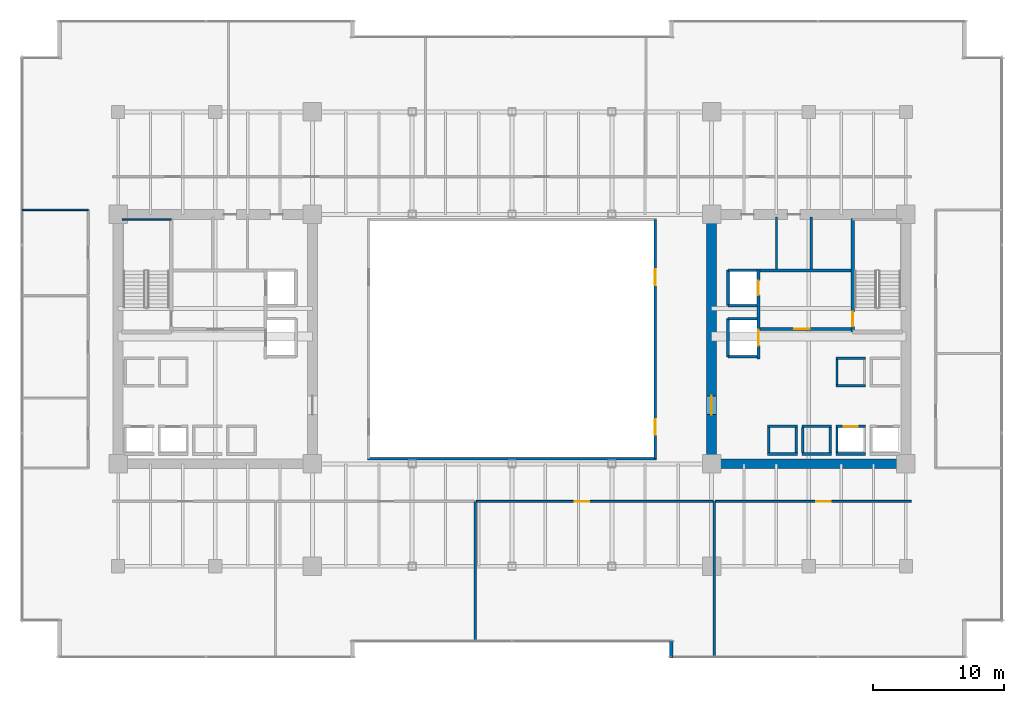
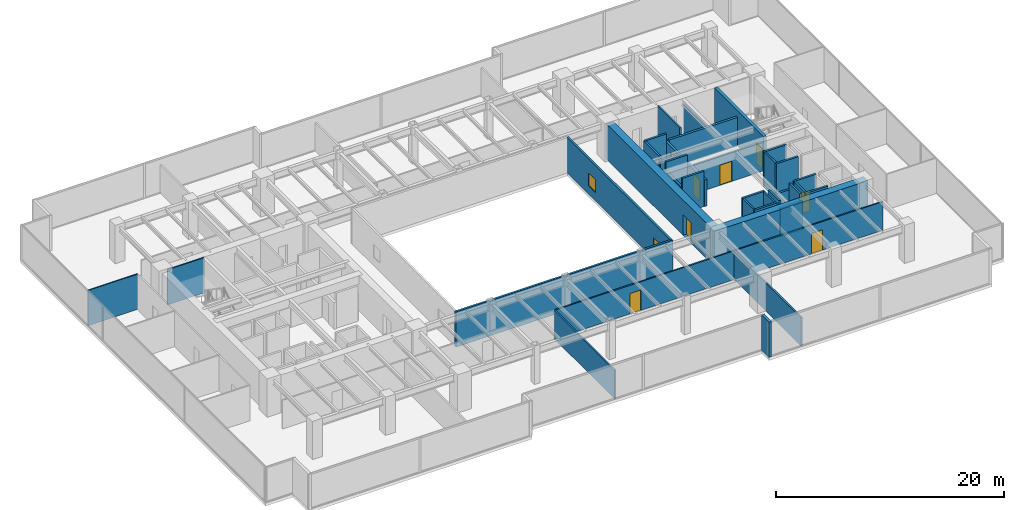
# One storey, part 30 of 35: 37 walls, 8 doors, 2 windows, 10 openings.
"""IFC4 building model written with IfcOpenShell, lengths in metres."""

from ifc_helpers import new_model, si_unit, direction, frame, frame_2d, origin, place, context, subcontext, project, spatial, rectangle, extrude, source, transform, mapped, material, layer, layer_set, type_object, type_shapes, element, fill, save


model = new_model("IFC4")

# Units and contexts
model_context = context("Model", 3, precision=1e-05, world=origin(), true_north=direction((0.0, 1.0)))
body_context = subcontext(model_context, "Body", "Model", "MODEL_VIEW")
ifc_project = project(units=[si_unit("LENGTHUNIT", "METRE"), si_unit("AREAUNIT", "SQUARE_METRE"), si_unit("VOLUMEUNIT", "CUBIC_METRE"), si_unit("PLANEANGLEUNIT", "RADIAN"), si_unit("MASSUNIT", "GRAM", prefix="KILO")], contexts=[model_context])

# Site, building, storey
site_placement = place(None, origin())
site = spatial("IfcSite", under=ifc_project, at=site_placement, CompositionType="ELEMENT")
building_placement = place(site_placement, origin())
building = spatial("IfcBuilding", under=site, at=building_placement, Name="Haelvirn Gate Laboratories", CompositionType="ELEMENT")
storey_placement = place(building_placement, frame((0.0, 0.0, 37.5)))
storey = spatial("IfcBuildingStorey", under=building, at=storey_placement, Name="L09", CompositionType="ELEMENT", Elevation=37.5)

# Walls
ifc_material_1 = material(Name="Thermally-broken bronze aluminium rainscreen & mineral wool", Category="aluminium")
ifc_layer_1 = layer(ifc_material_1, 0.280029296875, Name="EW-TERR-280")
ifc_layer_set_1 = layer_set([ifc_layer_1], Name="Thermally-broken bronze aluminium rainscreen & mineral wool")
wall_type_1 = type_object("IfcWallType", Name="EW-TERR-280", PredefinedType="STANDARD", material=ifc_layer_set_1)
wall_1_placement = place(storey_placement, frame((49.5400390625, 1.2880859375, 0.0), z_axis=(0.0, 0.0, 1.0), x_axis=(0.0, -1.0, 0.0)))
element("IfcWall", 1, at=wall_1_placement, inside=storey, type_object=wall_type_1, Name="L09 Atrium Recess Bronze Return Wall 03", PredefinedType="STANDARD", context=body_context, shape_type="SweptSolid", body=[
    extrude(rectangle(XDim=1.2880859375, YDim=0.280029296875, at=frame_2d((0.64404296875, 0.0))), origin(), (0.0, 0.0, 1.0), 3.780029296875),
])
ifc_material_2 = material(Name="Double-layer acoustic gypsum laboratory partition", Category="gypsum")
ifc_layer_2 = layer(ifc_material_2, 0.159912109375, Name="IW-ACOUST-160")
ifc_layer_set_2 = layer_set([ifc_layer_2], Name="Double-layer acoustic gypsum laboratory partition")
wall_type_2 = type_object("IfcWallType", Name="IW-ACOUST-160", PredefinedType="PARTITIONING", material=ifc_layer_set_2)
wall_2_placement = place(storey_placement, frame((34.60009765625, 1.31005859375, 0.0), z_axis=(0.0, 0.0, 1.0), x_axis=(0.0, 1.0, 0.0)))
element("IfcWall", 2, at=wall_2_placement, inside=storey, type_object=wall_type_2, Name="L09 Interior Wall IW-L09-SDIV-02", PredefinedType="PARTITIONING", context=body_context, shape_type="SweptSolid", body=[
    extrude(rectangle(XDim=10.6298828125, YDim=0.159912109375, at=frame_2d((5.31494140625, 0.0))), origin(), (0.0, 0.0, 1.0), 3.014892578125),
])
wall_3_placement = place(storey_placement, frame((52.800048828125, 0.110107421875, 0.0), z_axis=(0.0, 0.0, 1.0), x_axis=(0.0, 1.0, 0.0)))
element("IfcWall", 3, at=wall_3_placement, inside=storey, type_object=wall_type_2, Name="L09 Interior Wall IW-L09-SDIV-03", PredefinedType="PARTITIONING", context=body_context, shape_type="SweptSolid", body=[
    extrude(rectangle(XDim=11.829833984375, YDim=0.159912109375, at=frame_2d((5.9150390625, 0.0))), origin(), (0.0, 0.0, 1.0), 3.014892578125),
])

# Wall, openings, windows
ifc_material_3 = material(Name="Tempered fire-rated borosilicate glass & anodised aluminium", Category="aluminium")
ifc_layer_3 = layer(ifc_material_3, 0.195068359375, Name="IW-GLAZ-200")
ifc_layer_set_3 = layer_set([ifc_layer_3], Name="Tempered fire-rated borosilicate glass & anodised aluminium")
wall_type_3 = type_object("IfcWallType", Name="IW-GLAZ-200", PredefinedType="SOLIDWALL", material=ifc_layer_set_3)
wall_4_placement = place(storey_placement, frame((48.300048828125, 15.199951171875, 0.0), z_axis=(0.0, 0.0, 1.0), x_axis=(0.0, 1.0, 0.0)))
wall_4 = element("IfcWall", 4, at=wall_4_placement, inside=storey, type_object=wall_type_3, Name="L09 Interior Wall IW-L09-ATRIUM-E", PredefinedType="SOLIDWALL", context=body_context, shape_type="SweptSolid", body=[
    extrude(rectangle(XDim=18.199951171875, YDim=0.195068359375, at=frame_2d((9.10009765625, 0.0))), origin(), (0.0, 0.0, 1.0), 3.780029296875),
])
opening_1_placement = place(wall_4_placement, frame((1.800048828125, 0.0, 0.89990234375)))
opening_1 = element("IfcOpeningElement", 5, at=opening_1_placement, cuts=wall_4, Name="Opening W6", PredefinedType="OPENING", context=body_context, shape_type="SweptSolid", body=[
    extrude(rectangle(XDim=1.199951171875, YDim=1.35009765625, at=frame_2d((0.60009765625, 0.675048828125))), frame((0.0, 0.107421875, 0.0), z_axis=(0.0, -1.0, 0.0), x_axis=(1.0, 0.0, 0.0)), (0.0, 0.0, 1.0), 0.215087890625),
])
opening_2_placement = place(wall_4_placement, frame((13.199951171875, 0.0, 0.89990234375)))
opening_2 = element("IfcOpeningElement", 6, at=opening_2_placement, cuts=wall_4, Name="Opening W6", PredefinedType="OPENING", context=body_context, shape_type="SweptSolid", body=[
    extrude(rectangle(XDim=1.199951171875, YDim=1.35009765625, at=frame_2d((0.60009765625, 0.675048828125))), frame((0.0, 0.107421875, 0.0), z_axis=(0.0, -1.0, 0.0), x_axis=(1.0, 0.0, 0.0)), (0.0, 0.0, 1.0), 0.215087890625),
])
ifc_material_4 = material(Name="Fire-rated EI 120 borosilicate atrium vision glazing", Category="glass")
window_type = type_object("IfcWindowType", Name="WN-ATR-1200", PartitioningType="SINGLE_PANEL", PredefinedType="WINDOW", material=ifc_material_4)
shared_shape_1 = source(origin(), body_context, "Body", "SweptSolid", [
    extrude(rectangle(XDim=1.199951171875, YDim=1.35009765625, at=frame_2d((0.60009765625, 0.675048828125))), frame((0.0, 0.030029296875, 0.0), z_axis=(0.0, -1.0, 0.0), x_axis=(1.0, 0.0, 0.0)), (0.0, 0.0, 1.0), 0.06005859375),
])
type_shapes(window_type, [shared_shape_1])
window_1_placement = place(opening_1_placement, origin())
window_1 = element("IfcWindow", 7, at=window_1_placement, inside=storey, type_object=window_type, Name="L09 Atrium Observation Window 1", OverallHeight=1.35009765625, OverallWidth=1.199951171875, PartitioningType="SINGLE_PANEL", PredefinedType="WINDOW", context=body_context, shape_type="MappedRepresentation", body=[
    mapped(shared_shape_1, transform((0.0, 0.0, 0.0), scale=1.0)),
])
fill(opening_1, window_1)
window_2_placement = place(opening_2_placement, origin())
window_2 = element("IfcWindow", 8, at=window_2_placement, inside=storey, type_object=window_type, Name="L09 Atrium Observation Window 2", OverallHeight=1.35009765625, OverallWidth=1.199951171875, PartitioningType="SINGLE_PANEL", PredefinedType="WINDOW", context=body_context, shape_type="MappedRepresentation", body=[
    mapped(shared_shape_1, transform((0.0, 0.0, 0.0), scale=1.0)),
])
fill(opening_2, window_2)

# Walls
wall_5_placement = place(storey_placement, frame((26.39990234375, 15.199951171875, 0.0), z_axis=(0.0, 0.0, 1.0), x_axis=(1.0, 0.0, 0.0)))
element("IfcWall", 9, at=wall_5_placement, inside=storey, type_object=wall_type_3, Name="L09 Interior Wall IW-L09-ATRIUM-S", PredefinedType="SOLIDWALL", context=body_context, shape_type="SweptSolid", body=[
    extrude(rectangle(XDim=22.0, YDim=0.195068359375, at=frame_2d((11.0, 0.0))), origin(), (0.0, 0.0, 1.0), 3.780029296875),
])
ifc_material_5 = material(Name="Lightweight acoustic gypsum board partition", Category="gypsum")
ifc_layer_4 = layer(ifc_material_5, 0.1201171875, Name="IW-PART-120")
ifc_layer_set_4 = layer_set([ifc_layer_4], Name="Lightweight acoustic gypsum board partition")
wall_type_4 = type_object("IfcWallType", Name="IW-PART-120", PredefinedType="PARTITIONING", material=ifc_layer_set_4)
wall_6_placement = place(storey_placement, frame((0.110107421875, 34.135009765625, 0.0), z_axis=(0.0, 0.0, 1.0), x_axis=(1.0, 0.0, 0.0)))
element("IfcWall", 10, at=wall_6_placement, inside=storey, type_object=wall_type_4, Name="L09 Interior Wall IW-L09-WCAP-N", PredefinedType="PARTITIONING", context=body_context, shape_type="SweptSolid", body=[
    extrude(rectangle(XDim=5.019775390625, YDim=0.1201171875, at=frame_2d((2.509765625, 0.0))), origin(), (0.0, 0.0, 1.0), 3.780029296875),
])

# Wall, opening, door
ifc_material_6 = material(Name="Acoustic mineral-wool gypsum board partition", Category="gypsum")
ifc_layer_5 = layer(ifc_material_6, 0.139892578125, Name="IW-PART-140")
ifc_layer_set_5 = layer_set([ifc_layer_5], Name="Acoustic mineral-wool gypsum board partition")
wall_type_5 = type_object("IfcWallType", Name="IW-PART-140", PredefinedType="PARTITIONING", material=ifc_layer_set_5)
wall_7_placement = place(storey_placement, frame((34.679931640625, 11.93994140625, 0.0), z_axis=(0.0, 0.0, 1.0), x_axis=(1.0, 0.0, 0.0)))
wall_7 = element("IfcWall", 11, at=wall_7_placement, inside=storey, type_object=wall_type_5, Name="L09 Interior Wall IW-L09-SCORR-03", PredefinedType="PARTITIONING", context=body_context, shape_type="SweptSolid", body=[
    extrude(rectangle(XDim=18.0400390625, YDim=0.139892578125, at=frame_2d((9.02001953125, 0.0))), origin(), (0.0, 0.0, 1.0), 3.06494140625),
])
opening_3_placement = place(wall_7_placement, frame((7.49560546875, 0.0, 0.0)))
opening_3 = element("IfcOpeningElement", 12, at=opening_3_placement, cuts=wall_7, Name="Opening D1", PredefinedType="OPENING", context=body_context, shape_type="SweptSolid", body=[
    extrude(rectangle(XDim=1.10009765625, YDim=2.179931640625, at=frame_2d((0.550048828125, 1.08984375))), frame((0.0, 0.080078125, 0.0), z_axis=(0.0, -1.0, 0.0), x_axis=(1.0, 0.0, 0.0)), (0.0, 0.0, 1.0), 0.159912109375),
])
ifc_material_7 = material(Name="Vision-panel acoustic solid-core timber lab door", Category="wood")
door_type_1 = type_object("IfcDoorType", Name="DR-LAB-1100", OperationType="NOTDEFINED", PredefinedType="DOOR", material=ifc_material_7)
shared_shape_2 = source(origin(), body_context, "Body", "SweptSolid", [
    extrude(rectangle(XDim=1.10009765625, YDim=2.179931640625, at=frame_2d((0.550048828125, 1.08984375))), frame((0.0, 0.02490234375, 0.0), z_axis=(0.0, -1.0, 0.0), x_axis=(1.0, 0.0, 0.0)), (0.0, 0.0, 1.0), 0.050048828125),
])
type_shapes(door_type_1, [shared_shape_2])
door_1_placement = place(opening_3_placement, origin())
door_1 = element("IfcDoor", 13, at=door_1_placement, inside=storey, type_object=door_type_1, Name="L09 Floor Hydration & Tea Servery Door S3", OperationType="SINGLE_SWING_RIGHT", OverallHeight=2.179931640625, OverallWidth=1.10009765625, PredefinedType="DOOR", context=body_context, shape_type="MappedRepresentation", body=[
    mapped(shared_shape_2, transform((0.0, 0.0, 0.0), scale=1.0)),
])
fill(opening_3, door_1)

wall_8_placement = place(storey_placement, frame((52.8798828125, 11.93994140625, 0.0), z_axis=(0.0, 0.0, 1.0), x_axis=(1.0, 0.0, 0.0)))
wall_8 = element("IfcWall", 14, at=wall_8_placement, inside=storey, type_object=wall_type_5, Name="L09 Interior Wall IW-L09-SCORR-04", PredefinedType="PARTITIONING", context=body_context, shape_type="SweptSolid", body=[
    extrude(rectangle(XDim=14.940185546875, YDim=0.139892578125, at=frame_2d((7.47021484375, 0.0))), origin(), (0.0, 0.0, 1.0), 3.06494140625),
])
opening_4_placement = place(wall_8_placement, frame((7.70849609375, 0.0, 0.0)))
opening_4 = element("IfcOpeningElement", 15, at=opening_4_placement, cuts=wall_8, Name="Opening D1", PredefinedType="OPENING", context=body_context, shape_type="SweptSolid", body=[
    extrude(rectangle(XDim=1.10009765625, YDim=2.179931640625, at=frame_2d((0.550048828125, 1.08984375))), frame((0.0, 0.080078125, 0.0), z_axis=(0.0, -1.0, 0.0), x_axis=(1.0, 0.0, 0.0)), (0.0, 0.0, 1.0), 0.159912109375),
])
door_2_placement = place(opening_4_placement, origin())
door_2 = element("IfcDoor", 16, at=door_2_placement, inside=storey, type_object=door_type_1, Name="L09 Researcher Break Pantry Door S4", OperationType="SINGLE_SWING_LEFT", OverallHeight=2.179931640625, OverallWidth=1.10009765625, PredefinedType="DOOR", context=body_context, shape_type="MappedRepresentation", body=[
    mapped(shared_shape_2, transform((0.0, 0.0, 0.0), scale=1.0)),
])
fill(opening_4, door_2)

# Walls
ifc_material_8 = material(Name="Cement-board restroom plumbing chase wall", Category="gypsum")
ifc_layer_6 = layer(ifc_material_8, 0.155029296875, Name="IW-PLUMB-160")
ifc_layer_set_6 = layer_set([ifc_layer_6], Name="Cement-board restroom plumbing chase wall")
wall_type_6 = type_object("IfcWallType", Name="IW-PLUMB-160", PredefinedType="PLUMBINGWALL", material=ifc_layer_set_6)
wall_9_placement = place(storey_placement, frame((60.18994140625, 29.64990234375, 0.0), z_axis=(0.0, 0.0, 1.0), x_axis=(0.0, 1.0, 0.0)))
element("IfcWall", 17, at=wall_9_placement, inside=storey, type_object=wall_type_6, Name="L09 Interior Wall IW-L09-E-CDIV-0", PredefinedType="PLUMBINGWALL", context=body_context, shape_type="SweptSolid", body=[
    extrude(rectangle(XDim=3.93017578125, YDim=0.155029296875, at=frame_2d((1.965087890625, 0.0))), origin(), (0.0, 0.0, 1.0), 3.06494140625),
])
wall_10_placement = place(storey_placement, frame((57.56005859375, 29.64990234375, 0.0), z_axis=(0.0, 0.0, 1.0), x_axis=(0.0, 1.0, 0.0)))
element("IfcWall", 18, at=wall_10_placement, inside=storey, type_object=wall_type_6, Name="L09 Interior Wall IW-L09-E-CDIV-1", PredefinedType="PLUMBINGWALL", context=body_context, shape_type="SweptSolid", body=[
    extrude(rectangle(XDim=3.93017578125, YDim=0.155029296875, at=frame_2d((1.965087890625, 0.0))), origin(), (0.0, 0.0, 1.0), 3.780029296875),
])
ifc_material_9 = material(Name="Concrete C40/50", Category="concrete")
ifc_layer_7 = layer(ifc_material_9, 0.179931640625, Name="IW-SHAFT-180")
ifc_layer_set_7 = layer_set([ifc_layer_7], Name="Concrete C40/50")
wall_type_7 = type_object("IfcWallType", Name="IW-SHAFT-180", PredefinedType="SOLIDWALL", material=ifc_layer_set_7)
for number, where, z_axis, x_axis, name in (
    (19, (62.14990234375, 15.64990234375, 0.0), (0.0, 0.0, 1.0), (0.0, 1.0, 0.0), "L09 Interior Wall IW-L09-PL4-SD"),
    (20, (59.550048828125, 15.64990234375, 0.0), (0.0, 0.0, 1.0), (0.0, 1.0, 0.0), "L09 Interior Wall IW-L09-PL7-SD"),
    (21, (61.64990234375, 15.64990234375, 0.0), (0.0, 0.0, 1.0), (0.0, 1.0, 0.0), "L09 Interior Wall IW-L09-PL7-SDE"),
    (22, (56.949951171875, 15.64990234375, 0.0), (0.0, 0.0, 1.0), (0.0, 1.0, 0.0), "L09 Interior Wall IW-L09-PL8-SD"),
    (23, (59.050048828125, 15.64990234375, 0.0), (0.0, 0.0, 1.0), (0.0, 1.0, 0.0), "L09 Interior Wall IW-L09-PL8-SDE"),
):
    element("IfcWall", number, at=place(storey_placement, frame(where, z_axis=z_axis, x_axis=x_axis)), inside=storey, type_object=wall_type_7, Name=name, PredefinedType="SOLIDWALL", context=body_context, shape_type="SweptSolid", body=[
        extrude(rectangle(XDim=1.900146484375, YDim=0.179931640625, at=frame_2d((0.9501953125, 0.0))), origin(), (0.0, 0.0, 1.0), 3.780029296875),
    ])
wall_11_placement = place(storey_placement, frame((62.14990234375, 20.85009765625, 0.0), z_axis=(0.0, 0.0, 1.0), x_axis=(0.0, 1.0, 0.0)))
element("IfcWall", 24, at=wall_11_placement, inside=storey, type_object=wall_type_7, Name="L09 Interior Wall IW-L09-PL12-SD", PredefinedType="SOLIDWALL", context=body_context, shape_type="SweptSolid", body=[
    extrude(rectangle(XDim=1.89990234375, YDim=0.179931640625, at=frame_2d((0.949951171875, 0.0))), origin(), (0.0, 0.0, 1.0), 3.780029296875),
])

# Wall, opening, door
ifc_layer_8 = layer(ifc_material_9, 0.199951171875, Name="IW-SHAFT-200")
ifc_layer_set_8 = layer_set([ifc_layer_8], Name="Concrete C40/50")
wall_type_8 = type_object("IfcWallType", Name="IW-SHAFT-200", PredefinedType="SOLIDWALL", material=ifc_layer_set_8)
wall_12_placement = place(storey_placement, frame((62.070068359375, 17.64990234375, 0.0), z_axis=(0.0, 0.0, 1.0), x_axis=(1.0, 0.0, 0.0)))
wall_12 = element("IfcWall", 25, at=wall_12_placement, inside=storey, type_object=wall_type_8, Name="L09 Interior Wall IW-L09-PL4-FR", PredefinedType="SOLIDWALL", context=body_context, shape_type="SweptSolid", body=[
    extrude(rectangle(XDim=2.260009765625, YDim=0.199951171875, at=frame_2d((1.1298828125, 0.0))), origin(), (0.0, 0.0, 1.0), 3.780029296875),
])
opening_5_placement = place(wall_12_placement, frame((0.580078125, 0.0, 0.0)))
opening_5 = element("IfcOpeningElement", 26, at=opening_5_placement, cuts=wall_12, Name="Opening LD2", PredefinedType="OPENING", context=body_context, shape_type="SweptSolid", body=[
    extrude(rectangle(XDim=1.10009765625, YDim=2.219970703125, at=frame_2d((0.550048828125, 1.10986328125))), frame((0.0, 0.10986328125, 0.0), z_axis=(0.0, -1.0, 0.0), x_axis=(1.0, 0.0, 0.0)), (0.0, 0.0, 1.0), 0.219970703125),
])
ifc_material_10 = material(Name="Bronze stainless 316L sliding lift landing door")
door_type_2 = type_object("IfcDoorType", Name="DR-LD-1100", OperationType="NOTDEFINED", PredefinedType="USERDEFINED", material=ifc_material_10)
shared_shape_3 = source(origin(), body_context, "Body", "SweptSolid", [
    extrude(rectangle(XDim=1.10009765625, YDim=2.219970703125, at=frame_2d((0.550048828125, 1.10986328125))), frame((0.0, 0.02490234375, 0.0), z_axis=(0.0, -1.0, 0.0), x_axis=(1.0, 0.0, 0.0)), (0.0, 0.0, 1.0), 0.050048828125),
])
type_shapes(door_type_2, [shared_shape_3])
door_3_placement = place(opening_5_placement, origin())
door_3 = element("IfcDoor", 27, at=door_3_placement, inside=storey, type_object=door_type_2, Name="L09 Passenger Lift PL4 Landing Door", ObjectType="LANDING_DOOR", OperationType="SLIDING_TO_RIGHT", OverallHeight=2.219970703125, OverallWidth=1.10009765625, PredefinedType="USERDEFINED", context=body_context, shape_type="MappedRepresentation", body=[
    mapped(shared_shape_3, transform((0.0, 0.0, 0.0), scale=1.0)),
])
fill(opening_5, door_3)

# Walls
wall_13_placement = place(storey_placement, frame((62.070068359375, 15.550048828125, 0.0), z_axis=(0.0, 0.0, 1.0), x_axis=(1.0, 0.0, 0.0)))
element("IfcWall", 28, at=wall_13_placement, inside=storey, type_object=wall_type_8, Name="L09 Interior Wall IW-L09-PL4-BK", PredefinedType="SOLIDWALL", context=body_context, shape_type="SweptSolid", body=[
    extrude(rectangle(XDim=2.260009765625, YDim=0.199951171875, at=frame_2d((1.1298828125, 0.0))), origin(), (0.0, 0.0, 1.0), 3.780029296875),
])
for number, where, z_axis, x_axis, name in (
    (29, (59.469970703125, 17.64990234375, 0.0), (0.0, 0.0, 1.0), (1.0, 0.0, 0.0), "L09 Interior Wall IW-L09-PL7-FR"),
    (30, (59.469970703125, 15.550048828125, 0.0), (0.0, 0.0, 1.0), (1.0, 0.0, 0.0), "L09 Interior Wall IW-L09-PL7-BK"),
):
    element("IfcWall", number, at=place(storey_placement, frame(where, z_axis=z_axis, x_axis=x_axis)), inside=storey, type_object=wall_type_8, Name=name, PredefinedType="SOLIDWALL", context=body_context, shape_type="SweptSolid", body=[
        extrude(rectangle(XDim=2.260009765625, YDim=0.199951171875, at=frame_2d((1.1298828125, 0.0))), origin(), (0.0, 0.0, 1.0), 3.06494140625),
    ])
for number, where, z_axis, x_axis, name in (
    (31, (56.8701171875, 17.64990234375, 0.0), (0.0, 0.0, 1.0), (1.0, 0.0, 0.0), "L09 Interior Wall IW-L09-PL8-FR"),
    (32, (56.8701171875, 15.550048828125, 0.0), (0.0, 0.0, 1.0), (1.0, 0.0, 0.0), "L09 Interior Wall IW-L09-PL8-BK"),
):
    element("IfcWall", number, at=place(storey_placement, frame(where, z_axis=z_axis, x_axis=x_axis)), inside=storey, type_object=wall_type_8, Name=name, PredefinedType="SOLIDWALL", context=body_context, shape_type="SweptSolid", body=[
        extrude(rectangle(XDim=2.259765625, YDim=0.199951171875, at=frame_2d((1.1298828125, 0.0))), origin(), (0.0, 0.0, 1.0), 3.780029296875),
    ])
for number, where, z_axis, x_axis, name in (
    (33, (62.070068359375, 20.75, 0.0), (0.0, 0.0, 1.0), (1.0, 0.0, 0.0), "L09 Interior Wall IW-L09-PL12-FR"),
    (34, (62.070068359375, 22.85009765625, 0.0), (0.0, 0.0, 1.0), (1.0, 0.0, 0.0), "L09 Interior Wall IW-L09-PL12-BK"),
):
    element("IfcWall", number, at=place(storey_placement, frame(where, z_axis=z_axis, x_axis=x_axis)), inside=storey, type_object=wall_type_8, Name=name, PredefinedType="SOLIDWALL", context=body_context, shape_type="SweptSolid", body=[
        extrude(rectangle(XDim=2.260009765625, YDim=0.199951171875, at=frame_2d((1.1298828125, 0.0))), origin(), (0.0, 0.0, 1.0), 3.780029296875),
    ])
wall_14_placement = place(storey_placement, frame((53.85009765625, 26.85009765625, 0.0), z_axis=(0.0, 0.0, 1.0), x_axis=(0.0, 1.0, 0.0)))
element("IfcWall", 35, at=wall_14_placement, inside=storey, type_object=wall_type_8, Name="L09 Interior Wall IW-L09-FL2-BK", PredefinedType="SOLIDWALL", context=body_context, shape_type="SweptSolid", body=[
    extrude(rectangle(XDim=2.699951171875, YDim=0.199951171875, at=frame_2d((1.35009765625, 0.0))), origin(), (0.0, 0.0, 1.0), 3.780029296875),
])
wall_15_placement = place(storey_placement, frame((53.85009765625, 29.550048828125, 0.0), z_axis=(0.0, 0.0, 1.0), x_axis=(1.0, 0.0, 0.0)))
element("IfcWall", 36, at=wall_15_placement, inside=storey, type_object=wall_type_8, Name="L09 Interior Wall IW-L09-FL2-N", PredefinedType="SOLIDWALL", context=body_context, shape_type="SweptSolid", body=[
    extrude(rectangle(XDim=2.18994140625, YDim=0.199951171875, at=frame_2d((1.094970703125, 0.0))), origin(), (0.0, 0.0, 1.0), 3.780029296875),
])
wall_16_placement = place(storey_placement, frame((53.85009765625, 26.85009765625, 0.0), z_axis=(0.0, 0.0, 1.0), x_axis=(1.0, 0.0, 0.0)))
element("IfcWall", 37, at=wall_16_placement, inside=storey, type_object=wall_type_8, Name="L09 Interior Wall IW-L09-FL2-S", PredefinedType="SOLIDWALL", context=body_context, shape_type="SweptSolid", body=[
    extrude(rectangle(XDim=2.18994140625, YDim=0.199951171875, at=frame_2d((1.094970703125, 0.0))), origin(), (0.0, 0.0, 1.0), 3.177001953125),
])
wall_17_placement = place(storey_placement, frame((53.85009765625, 22.949951171875, 0.0), z_axis=(0.0, 0.0, 1.0), x_axis=(0.0, 1.0, 0.0)))
element("IfcWall", 38, at=wall_17_placement, inside=storey, type_object=wall_type_8, Name="L09 Interior Wall IW-L09-SL2-BK", PredefinedType="SOLIDWALL", context=body_context, shape_type="SweptSolid", body=[
    extrude(rectangle(XDim=2.900146484375, YDim=0.199951171875, at=frame_2d((1.4501953125, 0.0))), origin(), (0.0, 0.0, 1.0), 2.864990234375),
])
for number, where, z_axis, x_axis, name in (
    (39, (53.85009765625, 25.85009765625, 0.0), (0.0, 0.0, 1.0), (1.0, 0.0, 0.0), "L09 Interior Wall IW-L09-SL2-N"),
    (40, (53.85009765625, 22.949951171875, 0.0), (0.0, 0.0, 1.0), (1.0, 0.0, 0.0), "L09 Interior Wall IW-L09-SL2-S"),
):
    element("IfcWall", number, at=place(storey_placement, frame(where, z_axis=z_axis, x_axis=x_axis)), inside=storey, type_object=wall_type_8, Name=name, PredefinedType="SOLIDWALL", context=body_context, shape_type="SweptSolid", body=[
        extrude(rectangle(XDim=2.18994140625, YDim=0.199951171875, at=frame_2d((1.094970703125, 0.0))), origin(), (0.0, 0.0, 1.0), 3.780029296875),
    ])

# Wall, opening, door
ifc_layer_9 = layer(ifc_material_9, 0.239990234375, Name="IW-SHAFT-240")
ifc_layer_set_9 = layer_set([ifc_layer_9], Name="Concrete C40/50")
wall_type_9 = type_object("IfcWallType", Name="IW-SHAFT-240", PredefinedType="SOLIDWALL", material=ifc_layer_set_9)
wall_18_placement = place(storey_placement, frame((56.280029296875, 25.080078125, 0.0), z_axis=(0.0, 0.0, 1.0), x_axis=(1.0, 0.0, 0.0)))
wall_18 = element("IfcWall", 41, at=wall_18_placement, inside=storey, type_object=wall_type_9, Name="L09 Interior Wall IW-L09-E-FF-S", PredefinedType="SOLIDWALL", context=body_context, shape_type="SweptSolid", body=[
    extrude(rectangle(XDim=6.919921875, YDim=0.239990234375, at=frame_2d((3.4599609375, 0.0))), origin(), (0.0, 0.0, 1.0), 3.06494140625),
])
opening_6_placement = place(wall_18_placement, frame((2.60009765625, 0.0, 0.0)))
opening_6 = element("IfcOpeningElement", 42, at=opening_6_placement, cuts=wall_18, Name="Opening FD2", PredefinedType="OPENING", context=body_context, shape_type="SweptSolid", body=[
    extrude(rectangle(XDim=1.199951171875, YDim=2.159912109375, at=frame_2d((0.60009765625, 1.080078125))), frame((0.0, 0.1298828125, 0.0), z_axis=(0.0, -1.0, 0.0), x_axis=(1.0, 0.0, 0.0)), (0.0, 0.0, 1.0), 0.260009765625),
])
ifc_material_11 = material(Name="Fire-rated steel SM355 compartment door", Category="steel")
door_type_3 = type_object("IfcDoorType", Name="DR-FD-1200", OperationType="NOTDEFINED", PredefinedType="DOOR", material=ifc_material_11)
shared_shape_4 = source(origin(), body_context, "Body", "SweptSolid", [
    extrude(rectangle(XDim=1.199951171875, YDim=2.159912109375, at=frame_2d((0.60009765625, 1.080078125))), frame((0.0, 0.02490234375, 0.0), z_axis=(0.0, -1.0, 0.0), x_axis=(1.0, 0.0, 0.0)), (0.0, 0.0, 1.0), 0.050048828125),
])
type_shapes(door_type_3, [shared_shape_4])
door_4_placement = place(opening_6_placement, origin())
door_4 = element("IfcDoor", 43, at=door_4_placement, inside=storey, type_object=door_type_3, Name="L09 East Firefighting Lobby Door", OperationType="SINGLE_SWING_LEFT", OverallHeight=2.159912109375, OverallWidth=1.199951171875, PredefinedType="DOOR", context=body_context, shape_type="MappedRepresentation", body=[
    mapped(shared_shape_4, transform((0.0, 0.0, 0.0), scale=1.0)),
])
fill(opening_6, door_4)

# Wall
wall_19_placement = place(storey_placement, frame((56.280029296875, 29.52001953125, 0.0), z_axis=(0.0, 0.0, 1.0), x_axis=(1.0, 0.0, 0.0)))
element("IfcWall", 44, at=wall_19_placement, inside=storey, type_object=wall_type_9, Name="L09 Interior Wall IW-L09-E-FF-N", PredefinedType="SOLIDWALL", context=body_context, shape_type="SweptSolid", body=[
    extrude(rectangle(XDim=6.919921875, YDim=0.239990234375, at=frame_2d((3.4599609375, 0.0))), origin(), (0.0, 0.0, 1.0), 3.06494140625),
])

# Wall, openings, doors
wall_20_placement = place(storey_placement, frame((56.159912109375, 22.800048828125, 0.0), z_axis=(0.0, 0.0, 1.0), x_axis=(0.0, 1.0, 0.0)))
wall_20 = element("IfcWall", 45, at=wall_20_placement, inside=storey, type_object=wall_type_9, Name="L09 Interior Wall IW-L09-E-FF-E", PredefinedType="SOLIDWALL", context=body_context, shape_type="SweptSolid", body=[
    extrude(rectangle(XDim=6.849853515625, YDim=0.239990234375, at=frame_2d((3.4248046875, 0.0))), origin(), (0.0, 0.0, 1.0), 2.864990234375),
])
opening_7_placement = place(wall_20_placement, frame((4.85009765625, 0.0, 0.0)))
opening_7 = element("IfcOpeningElement", 46, at=opening_7_placement, cuts=wall_20, Name="Opening LD2", PredefinedType="OPENING", context=body_context, shape_type="SweptSolid", body=[
    extrude(rectangle(XDim=1.10009765625, YDim=2.219970703125, at=frame_2d((0.550048828125, 1.10986328125))), frame((0.0, 0.1298828125, 0.0), z_axis=(0.0, -1.0, 0.0), x_axis=(1.0, 0.0, 0.0)), (0.0, 0.0, 1.0), 0.260009765625),
])
opening_8_placement = place(wall_20_placement, frame((1.0, 0.0, 0.0)))
opening_8 = element("IfcOpeningElement", 47, at=opening_8_placement, cuts=wall_20, Name="Opening LD1", PredefinedType="OPENING", context=body_context, shape_type="SweptSolid", body=[
    extrude(rectangle(XDim=1.199951171875, YDim=2.219970703125, at=frame_2d((0.60009765625, 1.10986328125))), frame((0.0, 0.1298828125, 0.0), z_axis=(0.0, -1.0, 0.0), x_axis=(1.0, 0.0, 0.0)), (0.0, 0.0, 1.0), 0.260009765625),
])
door_5_placement = place(opening_7_placement, origin())
door_5 = element("IfcDoor", 48, at=door_5_placement, inside=storey, type_object=door_type_2, Name="L09 Firefighting Lift FL2 Landing Door", ObjectType="LANDING_DOOR", OperationType="SLIDING_TO_RIGHT", OverallHeight=2.219970703125, OverallWidth=1.10009765625, PredefinedType="USERDEFINED", context=body_context, shape_type="MappedRepresentation", body=[
    mapped(shared_shape_3, transform((0.0, 0.0, 0.0), scale=1.0)),
])
fill(opening_7, door_5)
ifc_material_12 = material(Name="Stainless steel 316L sliding goods landing door", Category="steel")
door_type_4 = type_object("IfcDoorType", Name="DR-LD-1200", OperationType="NOTDEFINED", PredefinedType="USERDEFINED", material=ifc_material_12)
shared_shape_5 = source(origin(), body_context, "Body", "SweptSolid", [
    extrude(rectangle(XDim=1.199951171875, YDim=2.219970703125, at=frame_2d((0.60009765625, 1.10986328125))), frame((0.0, 0.02490234375, 0.0), z_axis=(0.0, -1.0, 0.0), x_axis=(1.0, 0.0, 0.0)), (0.0, 0.0, 1.0), 0.050048828125),
])
type_shapes(door_type_4, [shared_shape_5])
door_6_placement = place(opening_8_placement, origin())
door_6 = element("IfcDoor", 49, at=door_6_placement, inside=storey, type_object=door_type_4, Name="L09 Service Lift SL2 Landing Door", ObjectType="LANDING_DOOR", OperationType="SLIDING_TO_LEFT", OverallHeight=2.219970703125, OverallWidth=1.199951171875, PredefinedType="USERDEFINED", context=body_context, shape_type="MappedRepresentation", body=[
    mapped(shared_shape_5, transform((0.0, 0.0, 0.0), scale=1.0)),
])
fill(opening_8, door_6)

# Wall
ifc_material_13 = material(Name="Concrete C70/85", Category="concrete")
ifc_layer_10 = layer(ifc_material_13, 0.75, Name="SW-CORE-750")
ifc_layer_set_10 = layer_set([ifc_layer_10], Name="Concrete C70/85")
wall_type_10 = type_object("IfcWallType", Name="SW-CORE-750", PredefinedType="SHEAR", material=ifc_layer_set_10)
wall_21_placement = place(storey_placement, frame((52.22509765625, 14.800048828125, 0.0), z_axis=(0.0, 0.0, 1.0), x_axis=(1.0, 0.0, 0.0)))
element("IfcWall", 50, at=wall_21_placement, inside=storey, type_object=wall_type_10, Name="L09 E Core Shear Wall S", PredefinedType="SHEAR", context=body_context, shape_type="SweptSolid", body=[
    extrude(rectangle(XDim=15.5498046875, YDim=0.75, at=frame_2d((7.77490234375, 0.0))), origin(), (0.0, 0.0, 1.0), 3.780029296875),
])

# Wall, opening, door
wall_22_placement = place(storey_placement, frame((52.60009765625, 15.175048828125, 0.0), z_axis=(0.0, 0.0, 1.0), x_axis=(0.0, 1.0, 0.0)))
wall_22 = element("IfcWall", 51, at=wall_22_placement, inside=storey, type_object=wall_type_10, Name="L09 E Core Shear Wall W", PredefinedType="SHEAR", context=body_context, shape_type="SweptSolid", body=[
    extrude(rectangle(XDim=18.25, YDim=0.75, at=frame_2d((9.125, 0.0))), origin(), (0.0, 0.0, 1.0), 3.780029296875),
])
opening_9_placement = place(wall_22_placement, frame((3.375, 0.0, 0.0)))
opening_9 = element("IfcOpeningElement", 52, at=opening_9_placement, cuts=wall_22, Name="Opening FD1", PredefinedType="OPENING", context=body_context, shape_type="SweptSolid", body=[
    extrude(rectangle(XDim=1.419921875, YDim=2.199951171875, at=frame_2d((0.7099609375, 1.10009765625))), frame((0.0, 0.385009765625, 0.0), z_axis=(0.0, -1.0, 0.0), x_axis=(1.0, 0.0, 0.0)), (0.0, 0.0, 1.0), 0.77001953125),
])
ifc_material_14 = material(Name="Fire-rated double steel SM355 lobby door", Category="steel")
door_type_5 = type_object("IfcDoorType", Name="DR-FD-1400", OperationType="NOTDEFINED", PredefinedType="DOOR", material=ifc_material_14)
shared_shape_6 = source(origin(), body_context, "Body", "SweptSolid", [
    extrude(rectangle(XDim=1.419921875, YDim=2.199951171875, at=frame_2d((0.7099609375, 1.10009765625))), frame((0.0, 0.02490234375, 0.0), z_axis=(0.0, -1.0, 0.0), x_axis=(1.0, 0.0, 0.0)), (0.0, 0.0, 1.0), 0.050048828125),
])
type_shapes(door_type_5, [shared_shape_6])
door_7_placement = place(opening_9_placement, origin())
door_7 = element("IfcDoor", 53, at=door_7_placement, inside=storey, type_object=door_type_5, Name="L09 East Core Lift Lobby Fire Door", OperationType="DOUBLE_DOOR_SINGLE_SWING", OverallHeight=2.199951171875, OverallWidth=1.419921875, PredefinedType="DOOR", context=body_context, shape_type="MappedRepresentation", body=[
    mapped(shared_shape_6, transform((0.0, 0.0, 0.0), scale=1.0)),
])
fill(opening_9, door_7)

# Wall
ifc_material_15 = material(Name="Concrete C50/60", Category="concrete")
ifc_layer_11 = layer(ifc_material_15, 0.1201171875, Name="SW-LINER-120")
ifc_layer_set_11 = layer_set([ifc_layer_11], Name="Concrete C50/60")
wall_type_11 = type_object("IfcWallType", Name="SW-LINER-120", PredefinedType="SOLIDWALL", material=ifc_layer_set_11)
wall_23_placement = place(storey_placement, frame((7.72998046875, 33.39990234375, 0.0), z_axis=(0.0, 0.0, 1.0), x_axis=(1.0, 0.0, 0.0)))
element("IfcWall", 54, at=wall_23_placement, inside=storey, type_object=wall_type_11, Name="L09 W Core Stair Shaft Liner Wall N", PredefinedType="SOLIDWALL", context=body_context, shape_type="SweptSolid", body=[
    extrude(rectangle(XDim=3.719970703125, YDim=0.1201171875, at=frame_2d((1.85986328125, 0.0))), origin(), (0.0, 0.0, 1.0), 3.780029296875),
])

# Wall, opening, door
ifc_layer_12 = layer(ifc_material_15, 0.300048828125, Name="SW-STAIR-300")
ifc_layer_set_12 = layer_set([ifc_layer_12], Name="Concrete C50/60")
wall_type_12 = type_object("IfcWallType", Name="SW-STAIR-300", PredefinedType="SHEAR", material=ifc_layer_set_12)
wall_24_placement = place(storey_placement, frame((63.35009765625, 24.85009765625, 0.0), z_axis=(0.0, 0.0, 1.0), x_axis=(0.0, 1.0, 0.0)))
wall_24 = element("IfcWall", 55, at=wall_24_placement, inside=storey, type_object=wall_type_12, Name="L09 E Core Stair Shaft Structural Wall IN", PredefinedType="SHEAR", context=body_context, shape_type="SweptSolid", body=[
    extrude(rectangle(XDim=8.6298828125, YDim=0.300048828125, at=frame_2d((4.31494140625, 0.0))), origin(), (0.0, 0.0, 1.0), 3.780029296875),
])
opening_10_placement = place(wall_24_placement, frame((0.419921875, 0.0, 0.0)))
opening_10 = element("IfcOpeningElement", 56, at=opening_10_placement, cuts=wall_24, Name="Opening FD3", PredefinedType="OPENING", context=body_context, shape_type="SweptSolid", body=[
    extrude(rectangle(XDim=1.10009765625, YDim=2.14990234375, at=frame_2d((0.550048828125, 1.074951171875))), frame((0.0, 0.16015625, 0.0), z_axis=(0.0, -1.0, 0.0), x_axis=(1.0, 0.0, 0.0)), (0.0, 0.0, 1.0), 0.320068359375),
])
ifc_material_16 = material(Name="Fire-rated steel SM355 escape stair door", Category="steel")
door_type_6 = type_object("IfcDoorType", Name="DR-FD-1100", OperationType="NOTDEFINED", PredefinedType="DOOR", material=ifc_material_16)
shared_shape_7 = source(origin(), body_context, "Body", "SweptSolid", [
    extrude(rectangle(XDim=1.10009765625, YDim=2.14990234375, at=frame_2d((0.550048828125, 1.074951171875))), frame((0.0, 0.02490234375, 0.0), z_axis=(0.0, -1.0, 0.0), x_axis=(1.0, 0.0, 0.0)), (0.0, 0.0, 1.0), 0.050048828125),
])
type_shapes(door_type_6, [shared_shape_7])
door_8_placement = place(opening_10_placement, origin())
door_8 = element("IfcDoor", 57, at=door_8_placement, inside=storey, type_object=door_type_6, Name="L09 Escape Stair ST2 Fire Door", OperationType="SINGLE_SWING_RIGHT", OverallHeight=2.14990234375, OverallWidth=1.10009765625, PredefinedType="DOOR", context=body_context, shape_type="MappedRepresentation", body=[
    mapped(shared_shape_7, transform((0.0, 0.0, 0.0), scale=1.0)),
])
fill(opening_10, door_8)

save(model, "model.ifc")
